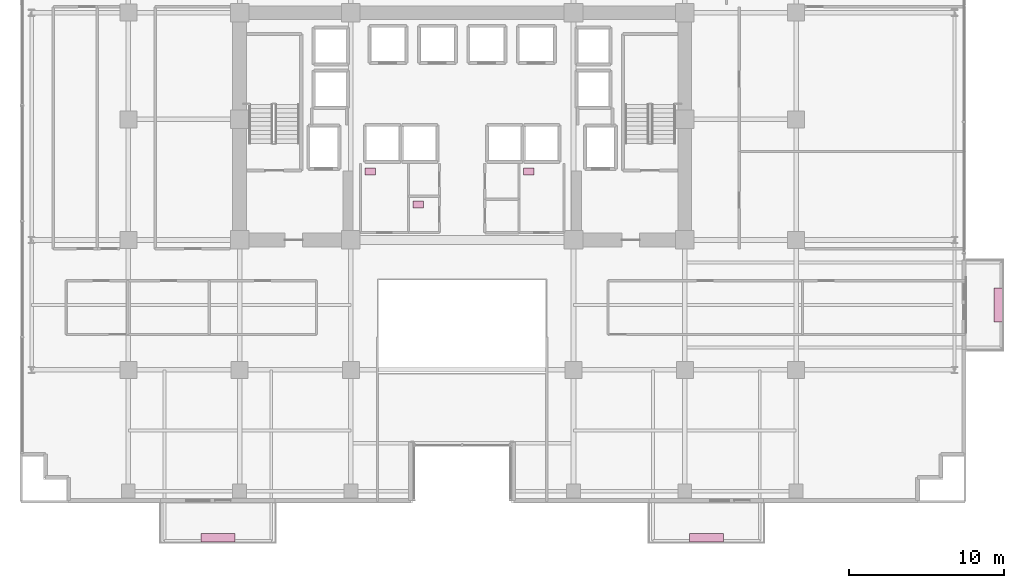
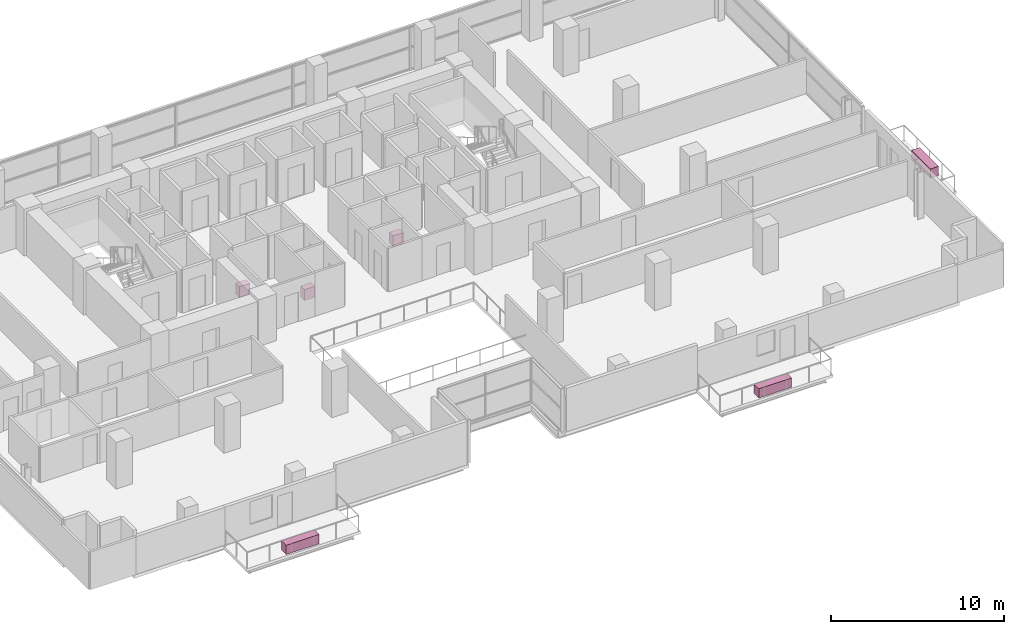
# One storey, part 26 of 26: 6 furnishings.
"""IFC4 building model written with IfcOpenShell, lengths in metres."""

from ifc_helpers import new_model, si_unit, direction, frame, origin, origin_2d, place, context, subcontext, project, spatial, rectangle, extrude, source, transform, mapped, material, type_object, element, save


model = new_model("IFC4")

# Units and contexts
model_context = context("Model", 3, precision=1e-05, world=origin(), true_north=direction((0.0, 1.0)))
body_context = subcontext(model_context, "Body", "Model", "MODEL_VIEW")
ifc_project = project(units=[si_unit("LENGTHUNIT", "METRE"), si_unit("AREAUNIT", "SQUARE_METRE"), si_unit("VOLUMEUNIT", "CUBIC_METRE"), si_unit("PLANEANGLEUNIT", "RADIAN"), si_unit("MASSUNIT", "GRAM", prefix="KILO")], contexts=[model_context])

# Site, building, storey
site_placement = place(None, origin())
site = spatial("IfcSite", under=ifc_project, at=site_placement, CompositionType="ELEMENT")
building_placement = place(site_placement, origin())
building = spatial("IfcBuilding", under=site, at=building_placement, Name="Zarnakvel Exchange Tower", CompositionType="ELEMENT")
storey_placement = place(building_placement, frame((0.0, 0.0, 63.699951171875)))
storey = spatial("IfcBuildingStorey", under=building, at=storey_placement, Name="L17", CompositionType="ELEMENT", Elevation=63.699951171875)

# Furnishings
ifc_material_1 = material(Name="Architectural Bronze Anodised Aluminium", Category="aluminium")
furnishing_element_type_1 = type_object("IfcFurnishingElementType", Name="PLNT-01", material=ifc_material_1)
shared_shape_1 = source(origin(), body_context, "Body", "SweptSolid", [
    extrude(rectangle(XDim=2.199951171875, YDim=0.550048828125, at=origin_2d()), origin(), (0.0, 0.0, 1.0), 0.64990234375),
])
for number, where, z_axis, x_axis, name in (
    (1, (-15.800048828125, -20.469970703125, -0.034912109375), (0.0, 0.0, 1.0), (1.0, 0.0, 0.0), "L17 Balcony Greenery Planter BAL-L17-SW"),
    (2, (15.800048828125, -20.469970703125, -0.034912109375), (0.0, 0.0, 1.0), (1.0, 0.0, 0.0), "L17 Balcony Greenery Planter BAL-L17-SE"),
    (3, (34.669921875, -5.39990234375, -0.034912109375), (0.0, 0.0, 1.0), (0.0, 1.0, 0.0), "L17 Balcony Greenery Planter BAL-L17-E"),
):
    element("IfcFurnishingElement", number, at=place(storey_placement, frame(where, z_axis=z_axis, x_axis=x_axis)), inside=storey, type_object=furnishing_element_type_1, Name=name, ObjectType="PLANTER", context=body_context, shape_type="MappedRepresentation", body=[
        mapped(shared_shape_1, transform((0.0, 0.0, 0.0), x_axis=(1.0, 0.0, 0.0), y_axis=(0.0, 1.0, 0.0), z_axis=(0.0, 0.0, 1.0), scale=1.0)),
    ])
ifc_material_2 = material(Name="Vitreous China Sanitaryware", Category="ceramic")
furnishing_element_type_2 = type_object("IfcFurnishingElementType", Name="SAN-WC", material=ifc_material_2)
shared_shape_2 = source(origin(), body_context, "Body", "SweptSolid", [
    extrude(rectangle(XDim=0.699951171875, YDim=0.449951171875, at=origin_2d()), origin(), (0.0, 0.0, 1.0), 0.780029296875),
])
for number, where, z_axis, x_axis, name in (
    (4, (-5.949951171875, 3.22998046875, 0.0), (0.0, 0.0, 1.0), (1.0, 0.0, 0.0), "L17 Sanitary Fixture (Male Toilet)"),
    (5, (-2.840087890625, 1.10009765625, 0.0), (0.0, 0.0, 1.0), (1.0, 0.0, 0.0), "L17 Sanitary Fixture (Accessible Toilet)"),
    (6, (4.31005859375, 3.22998046875, 0.0), (0.0, 0.0, 1.0), (1.0, 0.0, 0.0), "L17 Sanitary Fixture (Female Toilet)"),
):
    element("IfcFurnishingElement", number, at=place(storey_placement, frame(where, z_axis=z_axis, x_axis=x_axis)), inside=storey, type_object=furnishing_element_type_2, Name=name, ObjectType="SANITARY_FIXTURE", context=body_context, shape_type="MappedRepresentation", body=[
        mapped(shared_shape_2, transform((0.0, 0.0, 0.0), x_axis=(1.0, 0.0, 0.0), y_axis=(0.0, 1.0, 0.0), z_axis=(0.0, 0.0, 1.0), scale=1.0)),
    ])

save(model, "model.ifc")
